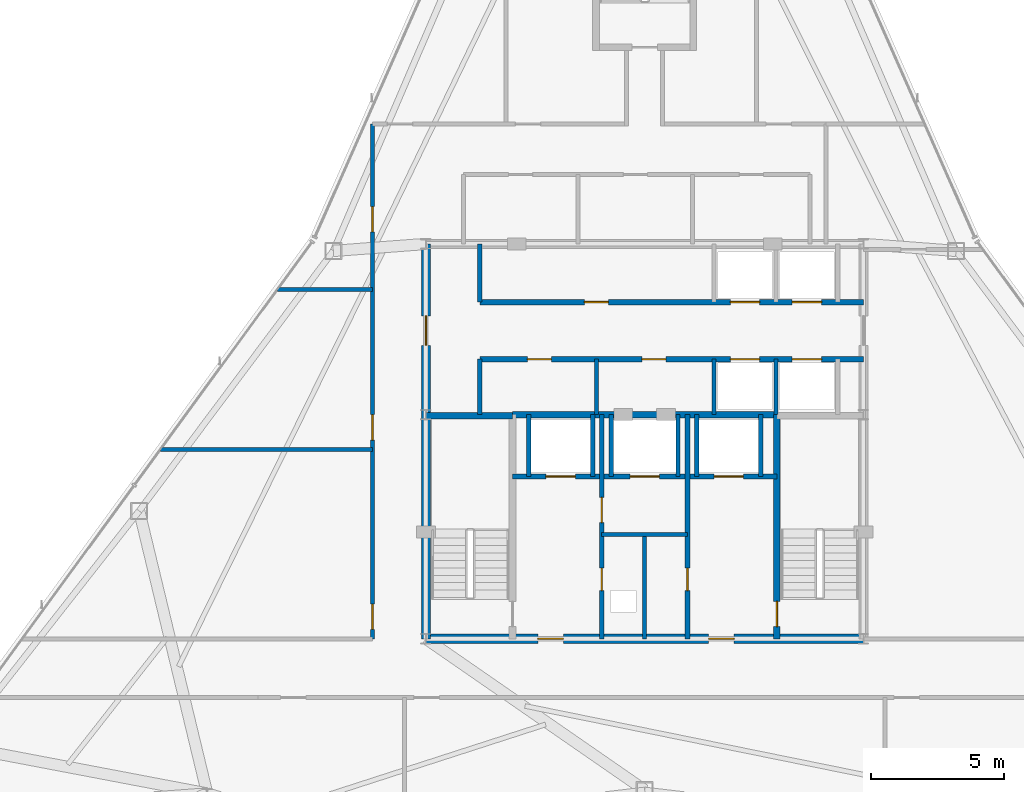
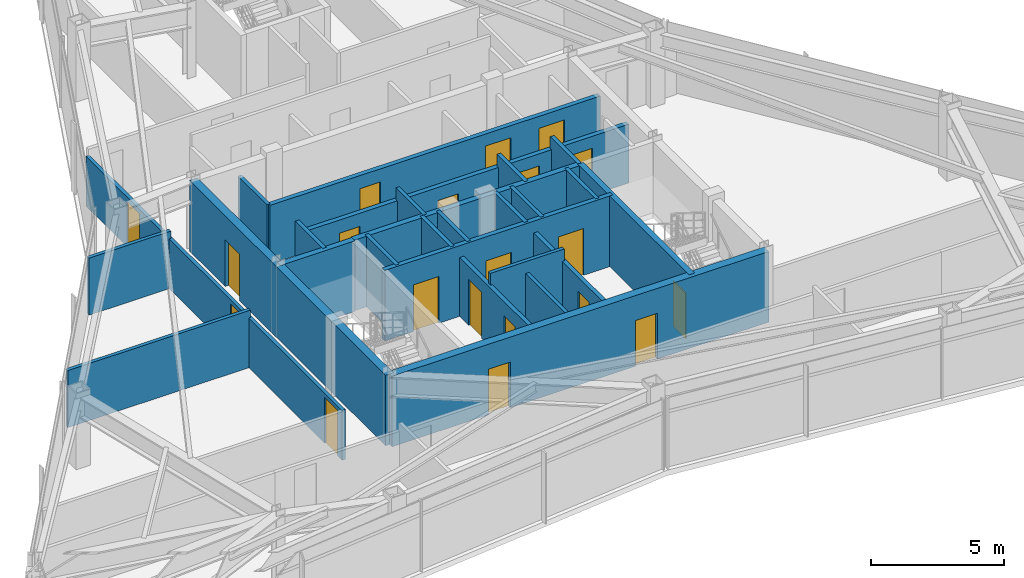
# One storey, part 9 of 12: 26 walls, 20 doors, 20 openings.
"""IFC4 building model written with IfcOpenShell, lengths in metres."""

from ifc_helpers import new_model, si_unit, direction, frame, frame_2d, origin, place, context, subcontext, project, spatial, rectangle, extrude, material, layer, layer_set, type_object, element, fill, save


model = new_model("IFC4")

# Units and contexts
model_context = context("Model", 3, precision=1e-05, world=origin(), true_north=direction((0.0, 1.0)))
body_context = subcontext(model_context, "Body", "Model", "MODEL_VIEW")
ifc_project = project(units=[si_unit("LENGTHUNIT", "METRE"), si_unit("AREAUNIT", "SQUARE_METRE"), si_unit("VOLUMEUNIT", "CUBIC_METRE"), si_unit("PLANEANGLEUNIT", "RADIAN"), si_unit("MASSUNIT", "GRAM", prefix="KILO")], contexts=[model_context])

# Site, building, storey
site_placement = place(None, origin())
site = spatial("IfcSite", under=ifc_project, at=site_placement, CompositionType="ELEMENT")
building_placement = place(site_placement, origin())
building = spatial("IfcBuilding", under=site, at=building_placement, Name="Varakhsha Concourse Tower", CompositionType="ELEMENT")
storey_placement = place(building_placement, frame((0.0, 0.0, 269.0)))
storey = spatial("IfcBuildingStorey", under=building, at=storey_placement, Name="L76", CompositionType="ELEMENT", Elevation=269.0)

# Wall, openings, doors
ifc_material_1 = material(Name="Concrete fc 65 MPa", Category="concrete")
ifc_layer_1 = layer(ifc_material_1, 0.35009765625, Name="WL-CORE-350")
ifc_layer_set_1 = layer_set([ifc_layer_1], Name="Concrete fc 65 MPa")
wall_type_1 = type_object("IfcWallType", Name="WL-CORE-350", PredefinedType="SHEAR", material=ifc_layer_set_1)
wall_1_placement = place(storey_placement, frame((31.800048828125, 16.39990234375, 0.0), z_axis=(0.0, 0.0, 1.0), x_axis=(1.0, 0.0, 0.0)))
wall_1 = element("IfcWall", 1, at=wall_1_placement, inside=storey, type_object=wall_type_1, Name="L76 Wall CWALL-S-L76", PredefinedType="SHEAR", context=body_context, shape_type="SweptSolid", body=[
    extrude(rectangle(XDim=16.39990234375, YDim=0.35009765625, at=frame_2d((8.199951171875, 0.0))), origin(), (0.0, 0.0, 1.0), 3.25),
])
opening_1_placement = place(wall_1_placement, frame((4.199951171875, 0.0, 0.0)))
opening_1 = element("IfcOpeningElement", 2, at=opening_1_placement, cuts=wall_1, Name="Opening DF-05", PredefinedType="OPENING", context=body_context, shape_type="SweptSolid", body=[
    extrude(rectangle(XDim=0.949951171875, YDim=2.10009765625, at=frame_2d((0.47509765625, 1.050048828125))), frame((0.0, 0.18505859375, 0.0), z_axis=(0.0, -1.0, 0.0), x_axis=(1.0, 0.0, 0.0)), (0.0, 0.0, 1.0), 0.3701171875),
])
opening_2_placement = place(wall_1_placement, frame((10.60009765625, 0.0, 0.0)))
opening_2 = element("IfcOpeningElement", 3, at=opening_2_placement, cuts=wall_1, Name="Opening DF-05", PredefinedType="OPENING", context=body_context, shape_type="SweptSolid", body=[
    extrude(rectangle(XDim=0.949951171875, YDim=2.10009765625, at=frame_2d((0.47509765625, 1.050048828125))), frame((0.0, 0.18505859375, 0.0), z_axis=(0.0, -1.0, 0.0), x_axis=(1.0, 0.0, 0.0)), (0.0, 0.0, 1.0), 0.3701171875),
])
ifc_material_2 = material(Name="Hollow Galvanised Steel Fire Door Assembly", Category="steel")
door_type_1 = type_object("IfcDoorType", Name="DR-FD60-950", OperationType="NOTDEFINED", PredefinedType="DOOR", material=ifc_material_2)
door_1_placement = place(opening_1_placement, origin())
door_1 = element("IfcDoor", 4, at=door_1_placement, inside=storey, type_object=door_type_1, Name="L76 Firefighting Lobby West Door", OperationType="SINGLE_SWING_RIGHT", OverallHeight=2.10009765625, OverallWidth=0.949951171875, PredefinedType="DOOR", context=body_context, shape_type="SweptSolid", body=[
    extrude(rectangle(XDim=0.949951171875, YDim=2.10009765625, at=frame_2d((0.47509765625, 1.050048828125))), frame((0.0, 0.02490234375, 0.0), z_axis=(0.0, -1.0, 0.0), x_axis=(1.0, 0.0, 0.0)), (0.0, 0.0, 1.0), 0.050048828125),
])
fill(opening_1, door_1)
door_2_placement = place(opening_2_placement, origin())
door_2 = element("IfcDoor", 5, at=door_2_placement, inside=storey, type_object=door_type_1, Name="L76 Firefighting Lobby East Door", OperationType="SINGLE_SWING_LEFT", OverallHeight=2.10009765625, OverallWidth=0.949951171875, PredefinedType="DOOR", context=body_context, shape_type="SweptSolid", body=[
    extrude(rectangle(XDim=0.949951171875, YDim=2.10009765625, at=frame_2d((0.47509765625, 1.050048828125))), frame((0.0, 0.02490234375, 0.0), z_axis=(0.0, -1.0, 0.0), x_axis=(1.0, 0.0, 0.0)), (0.0, 0.0, 1.0), 0.050048828125),
])
fill(opening_2, door_2)

# Wall, opening, door
wall_2_placement = place(storey_placement, frame((31.800048828125, 16.39990234375, 0.0), z_axis=(0.0, 0.0, 1.0), x_axis=(0.0, 1.0, 0.0)))
wall_2 = element("IfcWall", 6, at=wall_2_placement, inside=storey, type_object=wall_type_1, Name="L76 Wall CWALL-W-L76", PredefinedType="SHEAR", context=body_context, shape_type="SweptSolid", body=[
    extrude(rectangle(XDim=14.800048828125, YDim=0.35009765625, at=frame_2d((7.39990234375, 0.0))), origin(), (0.0, 0.0, 1.0), 3.25),
])
opening_3_placement = place(wall_2_placement, frame((11.0, 0.0, 0.0)))
opening_3 = element("IfcOpeningElement", 7, at=opening_3_placement, cuts=wall_2, Name="Opening DL-01", PredefinedType="OPENING", context=body_context, shape_type="SweptSolid", body=[
    extrude(rectangle(XDim=1.10009765625, YDim=2.14990234375, at=frame_2d((0.550048828125, 1.074951171875))), frame((0.0, 0.18505859375, 0.0), z_axis=(0.0, -1.0, 0.0), x_axis=(1.0, 0.0, 0.0)), (0.0, 0.0, 1.0), 0.3701171875),
])
ifc_material_3 = material(Name="Anodised Bronze Architectural Aluminium AA 6063-T6", Category="aluminium")
door_type_2 = type_object("IfcDoorType", Name="DR-LOB-1100", OperationType="NOTDEFINED", PredefinedType="DOOR", material=ifc_material_3)
door_3_placement = place(opening_3_placement, origin())
door_3 = element("IfcDoor", 8, at=door_3_placement, inside=storey, type_object=door_type_2, Name="L76 Lift Lobby West Concourse Door", OperationType="SINGLE_SWING_LEFT", OverallHeight=2.14990234375, OverallWidth=1.10009765625, PredefinedType="DOOR", context=body_context, shape_type="SweptSolid", body=[
    extrude(rectangle(XDim=1.10009765625, YDim=2.14990234375, at=frame_2d((0.550048828125, 1.074951171875))), frame((0.0, 0.02490234375, 0.0), z_axis=(0.0, -1.0, 0.0), x_axis=(1.0, 0.0, 0.0)), (0.0, 0.0, 1.0), 0.050048828125),
])
fill(opening_3, door_3)

# Wall, openings, doors
ifc_material_4 = material(Name="Fire-Rated Type X Gypsum Partition Assembly", Category="gypsum")
ifc_layer_2 = layer(ifc_material_4, 0.179931640625, Name="WL-FFLOB-180")
ifc_layer_set_2 = layer_set([ifc_layer_2], Name="Fire-Rated Type X Gypsum Partition Assembly")
wall_type_2 = type_object("IfcWallType", Name="WL-FFLOB-180", PredefinedType="PARTITIONING", material=ifc_layer_set_2)
wall_3_placement = place(storey_placement, frame((38.389892578125, 16.39990234375, 0.0), z_axis=(0.0, 0.0, 1.0), x_axis=(0.0, 1.0, 0.0)))
wall_3 = element("IfcWall", 9, at=wall_3_placement, inside=storey, type_object=wall_type_2, Name="L76 Wall FFW-1E-L76", PredefinedType="PARTITIONING", context=body_context, shape_type="SweptSolid", body=[
    extrude(rectangle(XDim=8.400146484375, YDim=0.179931640625, at=frame_2d((4.2001953125, 0.0))), origin(), (0.0, 0.0, 1.0), 2.705078125),
])
opening_4_placement = place(wall_3_placement, frame((1.800048828125, 0.0, 0.0)))
opening_4 = element("IfcOpeningElement", 10, at=opening_4_placement, cuts=wall_3, Name="Opening DF-07", PredefinedType="OPENING", context=body_context, shape_type="SweptSolid", body=[
    extrude(rectangle(XDim=0.85009765625, YDim=2.050048828125, at=frame_2d((0.425048828125, 1.02490234375))), frame((0.0, 0.099853515625, 0.0), z_axis=(0.0, -1.0, 0.0), x_axis=(1.0, 0.0, 0.0)), (0.0, 0.0, 1.0), 0.199951171875),
])
opening_5_placement = place(wall_3_placement, frame((4.35009765625, 0.0, 0.0)))
opening_5 = element("IfcOpeningElement", 11, at=opening_5_placement, cuts=wall_3, Name="Opening DF-05", PredefinedType="OPENING", context=body_context, shape_type="SweptSolid", body=[
    extrude(rectangle(XDim=0.949951171875, YDim=2.10009765625, at=frame_2d((0.47509765625, 1.050048828125))), frame((0.0, 0.099853515625, 0.0), z_axis=(0.0, -1.0, 0.0), x_axis=(1.0, 0.0, 0.0)), (0.0, 0.0, 1.0), 0.199951171875),
])
door_type_3 = type_object("IfcDoorType", Name="DR-FD60-850", OperationType="NOTDEFINED", PredefinedType="DOOR", material=ifc_material_2)
door_4_placement = place(opening_4_placement, origin())
door_4 = element("IfcDoor", 12, at=door_4_placement, inside=storey, type_object=door_type_3, Name="L76 Power Metering Closet Door", OperationType="SINGLE_SWING_LEFT", OverallHeight=2.050048828125, OverallWidth=0.85009765625, PredefinedType="DOOR", context=body_context, shape_type="SweptSolid", body=[
    extrude(rectangle(XDim=0.85009765625, YDim=2.050048828125, at=frame_2d((0.425048828125, 1.02490234375))), frame((0.0, 0.02490234375, 0.0), z_axis=(0.0, -1.0, 0.0), x_axis=(1.0, 0.0, 0.0)), (0.0, 0.0, 1.0), 0.050048828125),
])
fill(opening_4, door_4)
door_5_placement = place(opening_5_placement, origin())
door_5 = element("IfcDoor", 13, at=door_5_placement, inside=storey, type_object=door_type_1, Name="L76 Service Vestibule Door", OperationType="SINGLE_SWING_RIGHT", OverallHeight=2.10009765625, OverallWidth=0.949951171875, PredefinedType="DOOR", context=body_context, shape_type="SweptSolid", body=[
    extrude(rectangle(XDim=0.949951171875, YDim=2.10009765625, at=frame_2d((0.47509765625, 1.050048828125))), frame((0.0, 0.02490234375, 0.0), z_axis=(0.0, -1.0, 0.0), x_axis=(1.0, 0.0, 0.0)), (0.0, 0.0, 1.0), 0.050048828125),
])
fill(opening_5, door_5)

# Wall, opening, door
wall_4_placement = place(storey_placement, frame((41.610107421875, 16.39990234375, 0.0), z_axis=(0.0, 0.0, 1.0), x_axis=(0.0, 1.0, 0.0)))
wall_4 = element("IfcWall", 14, at=wall_4_placement, inside=storey, type_object=wall_type_2, Name="L76 Wall FFW-2W-L76", PredefinedType="PARTITIONING", context=body_context, shape_type="SweptSolid", body=[
    extrude(rectangle(XDim=8.400146484375, YDim=0.179931640625, at=frame_2d((4.2001953125, 0.0))), origin(), (0.0, 0.0, 1.0), 2.705078125),
])
opening_6_placement = place(wall_4_placement, frame((1.800048828125, 0.0, 0.0)))
opening_6 = element("IfcOpeningElement", 15, at=opening_6_placement, cuts=wall_4, Name="Opening DF-07", PredefinedType="OPENING", context=body_context, shape_type="SweptSolid", body=[
    extrude(rectangle(XDim=0.85009765625, YDim=2.050048828125, at=frame_2d((0.425048828125, 1.02490234375))), frame((0.0, 0.099853515625, 0.0), z_axis=(0.0, -1.0, 0.0), x_axis=(1.0, 0.0, 0.0)), (0.0, 0.0, 1.0), 0.199951171875),
])
door_6_placement = place(opening_6_placement, origin())
door_6 = element("IfcDoor", 16, at=door_6_placement, inside=storey, type_object=door_type_3, Name="L76 BMS Control Closet Door", OperationType="SINGLE_SWING_RIGHT", OverallHeight=2.050048828125, OverallWidth=0.85009765625, PredefinedType="DOOR", context=body_context, shape_type="SweptSolid", body=[
    extrude(rectangle(XDim=0.85009765625, YDim=2.050048828125, at=frame_2d((0.425048828125, 1.02490234375))), frame((0.0, 0.02490234375, 0.0), z_axis=(0.0, -1.0, 0.0), x_axis=(1.0, 0.0, 0.0)), (0.0, 0.0, 1.0), 0.050048828125),
])
fill(opening_6, door_6)

# Walls
ifc_layer_3 = layer(ifc_material_4, 0.14990234375, Name="WL-PART-150")
ifc_layer_set_3 = layer_set([ifc_layer_3], Name="Fire-Rated Type X Gypsum Partition Assembly")
wall_type_3 = type_object("IfcWallType", Name="WL-PART-150", PredefinedType="PARTITIONING", material=ifc_layer_set_3)
wall_5_placement = place(storey_placement, frame((38.389892578125, 20.300048828125, 0.0), z_axis=(0.0, 0.0, 1.0), x_axis=(1.0, 0.0, 0.0)))
element("IfcWall", 17, at=wall_5_placement, inside=storey, type_object=wall_type_3, Name="L76 Wall RSW-TH-L76", PredefinedType="PARTITIONING", context=body_context, shape_type="SweptSolid", body=[
    extrude(rectangle(XDim=3.22021484375, YDim=0.14990234375, at=frame_2d((1.610107421875, 0.0))), origin(), (0.0, 0.0, 1.0), 3.25),
])
wall_6_placement = place(storey_placement, frame((40.0, 16.39990234375, 0.0), z_axis=(0.0, 0.0, 1.0), x_axis=(0.0, 1.0, 0.0)))
element("IfcWall", 18, at=wall_6_placement, inside=storey, type_object=wall_type_3, Name="L76 Wall RSW-TV-L76", PredefinedType="PARTITIONING", context=body_context, shape_type="SweptSolid", body=[
    extrude(rectangle(XDim=3.900146484375, YDim=0.14990234375, at=frame_2d((1.9501953125, 0.0))), origin(), (0.0, 0.0, 1.0), 2.705078125),
])
wall_7_placement = place(storey_placement, frame((38.199951171875, 24.800048828125, 0.0), z_axis=(0.0, 0.0, 1.0), x_axis=(0.0, 1.0, 0.0)))
element("IfcWall", 19, at=wall_7_placement, inside=storey, type_object=wall_type_3, Name="L76 Wall P2F-D1-L76", PredefinedType="PARTITIONING", context=body_context, shape_type="SweptSolid", body=[
    extrude(rectangle(XDim=2.079833984375, YDim=0.14990234375, at=frame_2d((1.0400390625, 0.0))), origin(), (0.0, 0.0, 1.0), 3.25),
])

# Wall, openings, doors
wall_8_placement = place(storey_placement, frame((29.800048828125, 16.39990234375, 0.0), z_axis=(0.0, 0.0, 1.0), x_axis=(0.0, 1.0, 0.0)))
wall_8 = element("IfcWall", 20, at=wall_8_placement, inside=storey, type_object=wall_type_3, Name="L76 Wall CRW-W-L76", PredefinedType="PARTITIONING", context=body_context, shape_type="SweptSolid", body=[
    extrude(rectangle(XDim=19.300048828125, YDim=0.14990234375, at=frame_2d((9.64990234375, 0.0))), origin(), (0.0, 0.0, 1.0), 2.2919921875),
])
opening_7_placement = place(wall_8_placement, frame((0.35009765625, 0.0, 0.0)))
opening_7 = element("IfcOpeningElement", 21, at=opening_7_placement, cuts=wall_8, Name="Opening DF-05", PredefinedType="OPENING", context=body_context, shape_type="SweptSolid", body=[
    extrude(rectangle(XDim=0.949951171875, YDim=2.10009765625, at=frame_2d((0.47509765625, 1.050048828125))), frame((0.0, 0.0849609375, 0.0), z_axis=(0.0, -1.0, 0.0), x_axis=(1.0, 0.0, 0.0)), (0.0, 0.0, 1.0), 0.169921875),
])
opening_8_placement = place(wall_8_placement, frame((7.449951171875, 0.0, 0.0)))
opening_8 = element("IfcOpeningElement", 22, at=opening_8_placement, cuts=wall_8, Name="Opening DF-05", PredefinedType="OPENING", context=body_context, shape_type="SweptSolid", body=[
    extrude(rectangle(XDim=0.949951171875, YDim=2.10009765625, at=frame_2d((0.47509765625, 1.050048828125))), frame((0.0, 0.0849609375, 0.0), z_axis=(0.0, -1.0, 0.0), x_axis=(1.0, 0.0, 0.0)), (0.0, 0.0, 1.0), 0.169921875),
])
opening_9_placement = place(wall_8_placement, frame((15.25, 0.0, 0.0)))
opening_9 = element("IfcOpeningElement", 23, at=opening_9_placement, cuts=wall_8, Name="Opening DF-05", PredefinedType="OPENING", context=body_context, shape_type="SweptSolid", body=[
    extrude(rectangle(XDim=0.949951171875, YDim=2.10009765625, at=frame_2d((0.47509765625, 1.050048828125))), frame((0.0, 0.0849609375, 0.0), z_axis=(0.0, -1.0, 0.0), x_axis=(1.0, 0.0, 0.0)), (0.0, 0.0, 1.0), 0.169921875),
])
door_7_placement = place(opening_7_placement, origin())
door_7 = element("IfcDoor", 24, at=door_7_placement, inside=storey, type_object=door_type_1, Name="L76 Legal Research Library L76 Door", OperationType="SINGLE_SWING_RIGHT", OverallHeight=2.10009765625, OverallWidth=0.949951171875, PredefinedType="DOOR", context=body_context, shape_type="SweptSolid", body=[
    extrude(rectangle(XDim=0.949951171875, YDim=2.10009765625, at=frame_2d((0.47509765625, 1.050048828125))), frame((0.0, 0.02490234375, 0.0), z_axis=(0.0, -1.0, 0.0), x_axis=(1.0, 0.0, 0.0)), (0.0, 0.0, 1.0), 0.050048828125),
])
fill(opening_7, door_7)
door_8_placement = place(opening_8_placement, origin())
door_8 = element("IfcDoor", 25, at=door_8_placement, inside=storey, type_object=door_type_1, Name="L76 Senior Partner Chamber L76-W2 Door", OperationType="SINGLE_SWING_LEFT", OverallHeight=2.10009765625, OverallWidth=0.949951171875, PredefinedType="DOOR", context=body_context, shape_type="SweptSolid", body=[
    extrude(rectangle(XDim=0.949951171875, YDim=2.10009765625, at=frame_2d((0.47509765625, 1.050048828125))), frame((0.0, 0.02490234375, 0.0), z_axis=(0.0, -1.0, 0.0), x_axis=(1.0, 0.0, 0.0)), (0.0, 0.0, 1.0), 0.050048828125),
])
fill(opening_8, door_8)
door_9_placement = place(opening_9_placement, origin())
door_9 = element("IfcDoor", 26, at=door_9_placement, inside=storey, type_object=door_type_1, Name="L76 Senior Partner Chamber L76-W3 Door", OperationType="SINGLE_SWING_RIGHT", OverallHeight=2.10009765625, OverallWidth=0.949951171875, PredefinedType="DOOR", context=body_context, shape_type="SweptSolid", body=[
    extrude(rectangle(XDim=0.949951171875, YDim=2.10009765625, at=frame_2d((0.47509765625, 1.050048828125))), frame((0.0, 0.02490234375, 0.0), z_axis=(0.0, -1.0, 0.0), x_axis=(1.0, 0.0, 0.0)), (0.0, 0.0, 1.0), 0.050048828125),
])
fill(opening_9, door_9)

# Walls
wall_9_placement = place(storey_placement, frame((21.852294921875, 23.5, 0.0), z_axis=(0.0, 0.0, 1.0), x_axis=(1.0, 0.0, 0.0)))
element("IfcWall", 27, at=wall_9_placement, inside=storey, type_object=wall_type_3, Name="L76 Wall ODIV-W1-L76", PredefinedType="PARTITIONING", context=body_context, shape_type="SweptSolid", body=[
    extrude(rectangle(XDim=7.94775390625, YDim=0.14990234375, at=frame_2d((3.973876953125, 0.0))), origin(), (0.0, 0.0, 1.0), 2.6279296875),
])
wall_10_placement = place(storey_placement, frame((26.236328125, 29.5, 0.0), z_axis=(0.0, 0.0, 1.0), x_axis=(1.0, 0.0, 0.0)))
element("IfcWall", 28, at=wall_10_placement, inside=storey, type_object=wall_type_3, Name="L76 Wall ODIV-W2-L76", PredefinedType="PARTITIONING", context=body_context, shape_type="SweptSolid", body=[
    extrude(rectangle(XDim=3.563720703125, YDim=0.14990234375, at=frame_2d((1.78173828125, 0.0))), origin(), (0.0, 0.0, 1.0), 2.6279296875),
])

# Wall, openings, doors
ifc_layer_4 = layer(ifc_material_4, 0.199951171875, Name="WL-SHAFT-220")
ifc_layer_set_4 = layer_set([ifc_layer_4], Name="Fire-Rated Type X Gypsum Partition Assembly")
wall_type_4 = type_object("IfcWallType", Name="WL-SHAFT-220", PredefinedType="SOLIDWALL", material=ifc_layer_set_4)
wall_11_placement = place(storey_placement, frame((35.044921875, 22.47998046875, 0.0), z_axis=(0.0, 0.0, 1.0), x_axis=(1.0, 0.0, 0.0)))
wall_11 = element("IfcWall", 29, at=wall_11_placement, inside=storey, type_object=wall_type_4, Name="L76 Wall FFW-NH-L76", PredefinedType="SOLIDWALL", context=body_context, shape_type="SweptSolid", body=[
    extrude(rectangle(XDim=9.91015625, YDim=0.199951171875, at=frame_2d((4.955078125, 0.0))), origin(), (0.0, 0.0, 1.0), 3.25),
])
opening_10_placement = place(wall_11_placement, frame((1.2548828125, 0.0, 0.0)))
opening_10 = element("IfcOpeningElement", 30, at=opening_10_placement, cuts=wall_11, Name="Opening LD-FFL-1", PredefinedType="OPENING", context=body_context, shape_type="SweptSolid", body=[
    extrude(rectangle(XDim=1.10009765625, YDim=2.14990234375, at=frame_2d((0.550048828125, 1.074951171875))), frame((0.0, 0.10986328125, 0.0), z_axis=(0.0, -1.0, 0.0), x_axis=(1.0, 0.0, 0.0)), (0.0, 0.0, 1.0), 0.219970703125),
])
opening_11_placement = place(wall_11_placement, frame((7.554931640625, 0.0, 0.0)))
opening_11 = element("IfcOpeningElement", 31, at=opening_11_placement, cuts=wall_11, Name="Opening LD-FFL-2", PredefinedType="OPENING", context=body_context, shape_type="SweptSolid", body=[
    extrude(rectangle(XDim=1.10009765625, YDim=2.14990234375, at=frame_2d((0.550048828125, 1.074951171875))), frame((0.0, 0.10986328125, 0.0), z_axis=(0.0, -1.0, 0.0), x_axis=(1.0, 0.0, 0.0)), (0.0, 0.0, 1.0), 0.219970703125),
])
opening_12_placement = place(wall_11_placement, frame((4.405029296875, 0.0, 0.0)))
opening_12 = element("IfcOpeningElement", 32, at=opening_12_placement, cuts=wall_11, Name="Opening LD-SVL-1", PredefinedType="OPENING", context=body_context, shape_type="SweptSolid", body=[
    extrude(rectangle(XDim=1.10009765625, YDim=2.14990234375, at=frame_2d((0.550048828125, 1.074951171875))), frame((0.0, 0.10986328125, 0.0), z_axis=(0.0, -1.0, 0.0), x_axis=(1.0, 0.0, 0.0)), (0.0, 0.0, 1.0), 0.219970703125),
])
ifc_material_5 = material(Name="Brushed Austenitic Stainless Steel AISI 316", Category="steel")
door_type_4 = type_object("IfcDoorType", Name="DR-LD-1100", OperationType="DOUBLE_DOOR_SLIDING", PredefinedType="DOOR", material=ifc_material_5)
door_10_placement = place(opening_10_placement, origin())
door_10 = element("IfcDoor", 33, at=door_10_placement, inside=storey, type_object=door_type_4, Name="Lift Landing Door FFL-1 L76", OperationType="DOUBLE_DOOR_SLIDING", OverallHeight=2.14990234375, OverallWidth=1.10009765625, PredefinedType="DOOR", context=body_context, shape_type="SweptSolid", body=[
    extrude(rectangle(XDim=1.10009765625, YDim=2.14990234375, at=frame_2d((0.550048828125, 1.074951171875))), frame((0.0, 0.02490234375, 0.0), z_axis=(0.0, -1.0, 0.0), x_axis=(1.0, 0.0, 0.0)), (0.0, 0.0, 1.0), 0.050048828125),
])
fill(opening_10, door_10)
door_11_placement = place(opening_11_placement, origin())
door_11 = element("IfcDoor", 34, at=door_11_placement, inside=storey, type_object=door_type_4, Name="Lift Landing Door FFL-2 L76", OperationType="DOUBLE_DOOR_SLIDING", OverallHeight=2.14990234375, OverallWidth=1.10009765625, PredefinedType="DOOR", context=body_context, shape_type="SweptSolid", body=[
    extrude(rectangle(XDim=1.10009765625, YDim=2.14990234375, at=frame_2d((0.550048828125, 1.074951171875))), frame((0.0, 0.02490234375, 0.0), z_axis=(0.0, -1.0, 0.0), x_axis=(1.0, 0.0, 0.0)), (0.0, 0.0, 1.0), 0.050048828125),
])
fill(opening_11, door_11)
door_12_placement = place(opening_12_placement, origin())
door_12 = element("IfcDoor", 35, at=door_12_placement, inside=storey, type_object=door_type_4, Name="Lift Landing Door SVL-1 L76", OperationType="DOUBLE_DOOR_SLIDING", OverallHeight=2.14990234375, OverallWidth=1.10009765625, PredefinedType="DOOR", context=body_context, shape_type="SweptSolid", body=[
    extrude(rectangle(XDim=1.10009765625, YDim=2.14990234375, at=frame_2d((0.550048828125, 1.074951171875))), frame((0.0, 0.02490234375, 0.0), z_axis=(0.0, -1.0, 0.0), x_axis=(1.0, 0.0, 0.0)), (0.0, 0.0, 1.0), 0.050048828125),
])
fill(opening_12, door_12)

# Walls
for number, where, z_axis, x_axis, name in (
    (36, (35.64990234375, 22.47998046875, 0.0), (0.0, 0.0, 1.0), (0.0, 1.0, 0.0), "L76 Wall SHW-FFL-1-W-L76"),
    (37, (38.050048828125, 22.47998046875, 0.0), (0.0, 0.0, 1.0), (0.0, 1.0, 0.0), "L76 Wall SHW-FFL-1-E-L76"),
    (38, (41.949951171875, 22.47998046875, 0.0), (0.0, 0.0, 1.0), (0.0, 1.0, 0.0), "L76 Wall SHW-FFL-2-W-L76"),
    (39, (44.35009765625, 22.47998046875, 0.0), (0.0, 0.0, 1.0), (0.0, 1.0, 0.0), "L76 Wall SHW-FFL-2-E-L76"),
    (40, (38.75, 22.47998046875, 0.0), (0.0, 0.0, 1.0), (0.0, 1.0, 0.0), "L76 Wall SHW-SVL-1-W-L76"),
    (41, (41.25, 22.47998046875, 0.0), (0.0, 0.0, 1.0), (0.0, 1.0, 0.0), "L76 Wall SHW-SVL-1-E-L76"),
):
    element("IfcWall", number, at=place(storey_placement, frame(where, z_axis=z_axis, x_axis=x_axis)), inside=storey, type_object=wall_type_4, Name=name, PredefinedType="SOLIDWALL", context=body_context, shape_type="SweptSolid", body=[
        extrude(rectangle(XDim=2.320068359375, YDim=0.159912109375, at=frame_2d((1.16015625, 0.0))), origin(), (0.0, 0.0, 1.0), 3.25),
    ])

# Wall, openings, doors
wall_12_placement = place(storey_placement, frame((33.820068359375, 29.02001953125, 0.0), z_axis=(0.0, 0.0, 1.0), x_axis=(1.0, 0.0, 0.0)))
wall_12 = element("IfcWall", 42, at=wall_12_placement, inside=storey, type_object=wall_type_4, Name="L76 Wall PLW-N-L76", PredefinedType="SOLIDWALL", context=body_context, shape_type="SweptSolid", body=[
    extrude(rectangle(XDim=14.3798828125, YDim=0.199951171875, at=frame_2d((7.18994140625, 0.0))), origin(), (0.0, 0.0, 1.0), 2.705078125),
])
opening_13_placement = place(wall_12_placement, frame((3.919921875, 0.0, 0.0)))
opening_13 = element("IfcOpeningElement", 43, at=opening_13_placement, cuts=wall_12, Name="Opening DF-06", PredefinedType="OPENING", context=body_context, shape_type="SweptSolid", body=[
    extrude(rectangle(XDim=0.89990234375, YDim=2.10009765625, at=frame_2d((0.449951171875, 1.050048828125))), frame((0.0, 0.10986328125, 0.0), z_axis=(0.0, -1.0, 0.0), x_axis=(1.0, 0.0, 0.0)), (0.0, 0.0, 1.0), 0.219970703125),
])
opening_14_placement = place(wall_12_placement, frame((9.389892578125, 0.0, 0.0)))
opening_14 = element("IfcOpeningElement", 44, at=opening_14_placement, cuts=wall_12, Name="Opening LD-LF-P09", PredefinedType="OPENING", context=body_context, shape_type="SweptSolid", body=[
    extrude(rectangle(XDim=1.10009765625, YDim=2.14990234375, at=frame_2d((0.550048828125, 1.074951171875))), frame((0.0, 0.10986328125, 0.0), z_axis=(0.0, -1.0, 0.0), x_axis=(1.0, 0.0, 0.0)), (0.0, 0.0, 1.0), 0.219970703125),
])
opening_15_placement = place(wall_12_placement, frame((11.7099609375, 0.0, 0.0)))
opening_15 = element("IfcOpeningElement", 45, at=opening_15_placement, cuts=wall_12, Name="Opening LD-LF-P10", PredefinedType="OPENING", context=body_context, shape_type="SweptSolid", body=[
    extrude(rectangle(XDim=1.10009765625, YDim=2.14990234375, at=frame_2d((0.550048828125, 1.074951171875))), frame((0.0, 0.10986328125, 0.0), z_axis=(0.0, -1.0, 0.0), x_axis=(1.0, 0.0, 0.0)), (0.0, 0.0, 1.0), 0.219970703125),
])
door_type_5 = type_object("IfcDoorType", Name="DR-FD60-900", OperationType="NOTDEFINED", PredefinedType="DOOR", material=ifc_material_2)
door_13_placement = place(opening_13_placement, origin())
door_13 = element("IfcDoor", 46, at=door_13_placement, inside=storey, type_object=door_type_5, Name="L76 Tenant Archive and IT Server Room Door", OperationType="SINGLE_SWING_LEFT", OverallHeight=2.10009765625, OverallWidth=0.89990234375, PredefinedType="DOOR", context=body_context, shape_type="SweptSolid", body=[
    extrude(rectangle(XDim=0.89990234375, YDim=2.10009765625, at=frame_2d((0.449951171875, 1.050048828125))), frame((0.0, 0.02490234375, 0.0), z_axis=(0.0, -1.0, 0.0), x_axis=(1.0, 0.0, 0.0)), (0.0, 0.0, 1.0), 0.050048828125),
])
fill(opening_13, door_13)
door_14_placement = place(opening_14_placement, origin())
door_14 = element("IfcDoor", 47, at=door_14_placement, inside=storey, type_object=door_type_4, Name="Lift Landing Door LF-P09 L76", OperationType="DOUBLE_DOOR_SLIDING", OverallHeight=2.14990234375, OverallWidth=1.10009765625, PredefinedType="DOOR", context=body_context, shape_type="SweptSolid", body=[
    extrude(rectangle(XDim=1.10009765625, YDim=2.14990234375, at=frame_2d((0.550048828125, 1.074951171875))), frame((0.0, 0.02490234375, 0.0), z_axis=(0.0, -1.0, 0.0), x_axis=(1.0, 0.0, 0.0)), (0.0, 0.0, 1.0), 0.050048828125),
])
fill(opening_14, door_14)
door_15_placement = place(opening_15_placement, origin())
door_15 = element("IfcDoor", 48, at=door_15_placement, inside=storey, type_object=door_type_4, Name="Lift Landing Door LF-P10 L76", OperationType="DOUBLE_DOOR_SLIDING", OverallHeight=2.14990234375, OverallWidth=1.10009765625, PredefinedType="DOOR", context=body_context, shape_type="SweptSolid", body=[
    extrude(rectangle(XDim=1.10009765625, YDim=2.14990234375, at=frame_2d((0.550048828125, 1.074951171875))), frame((0.0, 0.02490234375, 0.0), z_axis=(0.0, -1.0, 0.0), x_axis=(1.0, 0.0, 0.0)), (0.0, 0.0, 1.0), 0.050048828125),
])
fill(opening_15, door_15)

wall_13_placement = place(storey_placement, frame((33.820068359375, 26.8798828125, 0.0), z_axis=(0.0, 0.0, 1.0), x_axis=(1.0, 0.0, 0.0)))
wall_13 = element("IfcWall", 49, at=wall_13_placement, inside=storey, type_object=wall_type_4, Name="L76 Wall PLW-S-L76", PredefinedType="SOLIDWALL", context=body_context, shape_type="SweptSolid", body=[
    extrude(rectangle(XDim=14.3798828125, YDim=0.199951171875, at=frame_2d((7.18994140625, 0.0))), origin(), (0.0, 0.0, 1.0), 2.705078125),
])
opening_16_placement = place(wall_13_placement, frame((1.780029296875, 0.0, 0.0)))
opening_16 = element("IfcOpeningElement", 50, at=opening_16_placement, cuts=wall_13, Name="Opening DF-06", PredefinedType="OPENING", context=body_context, shape_type="SweptSolid", body=[
    extrude(rectangle(XDim=0.89990234375, YDim=2.10009765625, at=frame_2d((0.449951171875, 1.050048828125))), frame((0.0, 0.10986328125, 0.0), z_axis=(0.0, -1.0, 0.0), x_axis=(1.0, 0.0, 0.0)), (0.0, 0.0, 1.0), 0.219970703125),
])
opening_17_placement = place(wall_13_placement, frame((6.070068359375, 0.0, 0.0)))
opening_17 = element("IfcOpeningElement", 51, at=opening_17_placement, cuts=wall_13, Name="Opening DF-06", PredefinedType="OPENING", context=body_context, shape_type="SweptSolid", body=[
    extrude(rectangle(XDim=0.89990234375, YDim=2.10009765625, at=frame_2d((0.449951171875, 1.050048828125))), frame((0.0, 0.10986328125, 0.0), z_axis=(0.0, -1.0, 0.0), x_axis=(1.0, 0.0, 0.0)), (0.0, 0.0, 1.0), 0.219970703125),
])
opening_18_placement = place(wall_13_placement, frame((9.389892578125, 0.0, 0.0)))
opening_18 = element("IfcOpeningElement", 52, at=opening_18_placement, cuts=wall_13, Name="Opening LD-LF-P11", PredefinedType="OPENING", context=body_context, shape_type="SweptSolid", body=[
    extrude(rectangle(XDim=1.10009765625, YDim=2.14990234375, at=frame_2d((0.550048828125, 1.074951171875))), frame((0.0, 0.10986328125, 0.0), z_axis=(0.0, -1.0, 0.0), x_axis=(1.0, 0.0, 0.0)), (0.0, 0.0, 1.0), 0.219970703125),
])
opening_19_placement = place(wall_13_placement, frame((11.7099609375, 0.0, 0.0)))
opening_19 = element("IfcOpeningElement", 53, at=opening_19_placement, cuts=wall_13, Name="Opening LD-LF-P12", PredefinedType="OPENING", context=body_context, shape_type="SweptSolid", body=[
    extrude(rectangle(XDim=1.10009765625, YDim=2.14990234375, at=frame_2d((0.550048828125, 1.074951171875))), frame((0.0, 0.10986328125, 0.0), z_axis=(0.0, -1.0, 0.0), x_axis=(1.0, 0.0, 0.0)), (0.0, 0.0, 1.0), 0.219970703125),
])
door_16_placement = place(opening_16_placement, origin())
door_16 = element("IfcDoor", 54, at=door_16_placement, inside=storey, type_object=door_type_5, Name="L76 Executive Pantry and Copy Suite Door", OperationType="SINGLE_SWING_RIGHT", OverallHeight=2.10009765625, OverallWidth=0.89990234375, PredefinedType="DOOR", context=body_context, shape_type="SweptSolid", body=[
    extrude(rectangle(XDim=0.89990234375, YDim=2.10009765625, at=frame_2d((0.449951171875, 1.050048828125))), frame((0.0, 0.02490234375, 0.0), z_axis=(0.0, -1.0, 0.0), x_axis=(1.0, 0.0, 0.0)), (0.0, 0.0, 1.0), 0.050048828125),
])
fill(opening_16, door_16)
door_17_placement = place(opening_17_placement, origin())
door_17 = element("IfcDoor", 55, at=door_17_placement, inside=storey, type_object=door_type_5, Name="L76 Core Supply Closet S1 Door", OperationType="SINGLE_SWING_LEFT", OverallHeight=2.10009765625, OverallWidth=0.89990234375, PredefinedType="DOOR", context=body_context, shape_type="SweptSolid", body=[
    extrude(rectangle(XDim=0.89990234375, YDim=2.10009765625, at=frame_2d((0.449951171875, 1.050048828125))), frame((0.0, 0.02490234375, 0.0), z_axis=(0.0, -1.0, 0.0), x_axis=(1.0, 0.0, 0.0)), (0.0, 0.0, 1.0), 0.050048828125),
])
fill(opening_17, door_17)
door_18_placement = place(opening_18_placement, origin())
door_18 = element("IfcDoor", 56, at=door_18_placement, inside=storey, type_object=door_type_4, Name="Lift Landing Door LF-P11 L76", OperationType="DOUBLE_DOOR_SLIDING", OverallHeight=2.14990234375, OverallWidth=1.10009765625, PredefinedType="DOOR", context=body_context, shape_type="SweptSolid", body=[
    extrude(rectangle(XDim=1.10009765625, YDim=2.14990234375, at=frame_2d((0.550048828125, 1.074951171875))), frame((0.0, 0.02490234375, 0.0), z_axis=(0.0, -1.0, 0.0), x_axis=(1.0, 0.0, 0.0)), (0.0, 0.0, 1.0), 0.050048828125),
])
fill(opening_18, door_18)
door_19_placement = place(opening_19_placement, origin())
door_19 = element("IfcDoor", 57, at=door_19_placement, inside=storey, type_object=door_type_4, Name="Lift Landing Door LF-P12 L76", OperationType="DOUBLE_DOOR_SLIDING", OverallHeight=2.14990234375, OverallWidth=1.10009765625, PredefinedType="DOOR", context=body_context, shape_type="SweptSolid", body=[
    extrude(rectangle(XDim=1.10009765625, YDim=2.14990234375, at=frame_2d((0.550048828125, 1.074951171875))), frame((0.0, 0.02490234375, 0.0), z_axis=(0.0, -1.0, 0.0), x_axis=(1.0, 0.0, 0.0)), (0.0, 0.0, 1.0), 0.050048828125),
])
fill(opening_19, door_19)

# Walls
wall_14_placement = place(storey_placement, frame((33.820068359375, 29.02001953125, 0.0), z_axis=(0.0, 0.0, 1.0), x_axis=(0.0, 1.0, 0.0)))
element("IfcWall", 58, at=wall_14_placement, inside=storey, type_object=wall_type_4, Name="L76 Wall WBOH-E1-L76", PredefinedType="SOLIDWALL", context=body_context, shape_type="SweptSolid", body=[
    extrude(rectangle(XDim=2.179931640625, YDim=0.159912109375, at=frame_2d((1.08984375, 0.0))), origin(), (0.0, 0.0, 1.0), 2.705078125),
])
for number, where, z_axis, x_axis, name in (
    (59, (33.820068359375, 24.800048828125, 0.0), (0.0, 0.0, 1.0), (0.0, 1.0, 0.0), "L76 Wall WBOH-E2-L76"),
    (60, (42.60009765625, 24.800048828125, 0.0), (0.0, 0.0, 1.0), (0.0, 1.0, 0.0), "L76 Wall SHW-LF-P11-W-L76"),
    (61, (44.919921875, 24.800048828125, 0.0), (0.0, 0.0, 1.0), (0.0, 1.0, 0.0), "L76 Wall SHW-LF-P11-E-L76"),
):
    element("IfcWall", number, at=place(storey_placement, frame(where, z_axis=z_axis, x_axis=x_axis)), inside=storey, type_object=wall_type_4, Name=name, PredefinedType="SOLIDWALL", context=body_context, shape_type="SweptSolid", body=[
        extrude(rectangle(XDim=2.079833984375, YDim=0.159912109375, at=frame_2d((1.0400390625, 0.0))), origin(), (0.0, 0.0, 1.0), 3.25),
    ])
ifc_material_6 = material(Name="Concrete fc 45 MPa", Category="concrete")
ifc_layer_5 = layer(ifc_material_6, 0.25, Name="WL-STAIR-250")
ifc_layer_set_5 = layer_set([ifc_layer_5], Name="Concrete fc 45 MPa")
wall_type_5 = type_object("IfcWallType", Name="WL-STAIR-250", PredefinedType="SHEAR", material=ifc_layer_set_5)
wall_15_placement = place(storey_placement, frame((31.800048828125, 24.7548828125, 0.0), z_axis=(0.0, 0.0, 1.0), x_axis=(1.0, 0.0, 0.0)))
element("IfcWall", 62, at=wall_15_placement, inside=storey, type_object=wall_type_5, Name="L76 Wall SWALL-ST1-N-L76", PredefinedType="SHEAR", context=body_context, shape_type="SweptSolid", body=[
    extrude(rectangle(XDim=3.244873046875, YDim=0.25, at=frame_2d((1.62255859375, 0.0))), origin(), (0.0, 0.0, 1.0), 3.25),
])

# Wall, opening, door
wall_16_placement = place(storey_placement, frame((44.955078125, 16.39990234375, 0.0), z_axis=(0.0, 0.0, 1.0), x_axis=(0.0, 1.0, 0.0)))
wall_16 = element("IfcWall", 63, at=wall_16_placement, inside=storey, type_object=wall_type_5, Name="L76 Wall SWALL-ST2-W-L76", PredefinedType="SHEAR", context=body_context, shape_type="SweptSolid", body=[
    extrude(rectangle(XDim=8.400146484375, YDim=0.25, at=frame_2d((4.2001953125, 0.0))), origin(), (0.0, 0.0, 1.0), 3.25),
])
opening_20_placement = place(wall_16_placement, frame((0.449951171875, 0.0, 0.0)))
opening_20 = element("IfcOpeningElement", 64, at=opening_20_placement, cuts=wall_16, Name="Opening DF-03", PredefinedType="OPENING", context=body_context, shape_type="SweptSolid", body=[
    extrude(rectangle(XDim=0.949951171875, YDim=2.10009765625, at=frame_2d((0.47509765625, 1.050048828125))), frame((0.0, 0.135009765625, 0.0), z_axis=(0.0, -1.0, 0.0), x_axis=(1.0, 0.0, 0.0)), (0.0, 0.0, 1.0), 0.27001953125),
])
door_type_6 = type_object("IfcDoorType", Name="DR-FD90-950", OperationType="NOTDEFINED", PredefinedType="DOOR", material=ifc_material_2)
door_20_placement = place(opening_20_placement, origin())
door_20 = element("IfcDoor", 65, at=door_20_placement, inside=storey, type_object=door_type_6, Name="L76 Stair ST2 Fire Door", OperationType="SINGLE_SWING_RIGHT", OverallHeight=2.10009765625, OverallWidth=0.949951171875, PredefinedType="DOOR", context=body_context, shape_type="SweptSolid", body=[
    extrude(rectangle(XDim=0.949951171875, YDim=2.10009765625, at=frame_2d((0.47509765625, 1.050048828125))), frame((0.0, 0.02490234375, 0.0), z_axis=(0.0, -1.0, 0.0), x_axis=(1.0, 0.0, 0.0)), (0.0, 0.0, 1.0), 0.050048828125),
])
fill(opening_20, door_20)

# Wall
wall_17_placement = place(storey_placement, frame((35.044921875, 24.800048828125, 0.0), z_axis=(0.0, 0.0, 1.0), x_axis=(1.0, 0.0, 0.0)))
element("IfcWall", 66, at=wall_17_placement, inside=storey, type_object=wall_type_5, Name="L76 Wall SWALL-MID-H-L76", PredefinedType="SHEAR", context=body_context, shape_type="SweptSolid", body=[
    extrude(rectangle(XDim=9.91015625, YDim=0.25, at=frame_2d((4.955078125, 0.0))), origin(), (0.0, 0.0, 1.0), 3.25),
])

save(model, "model.ifc")
